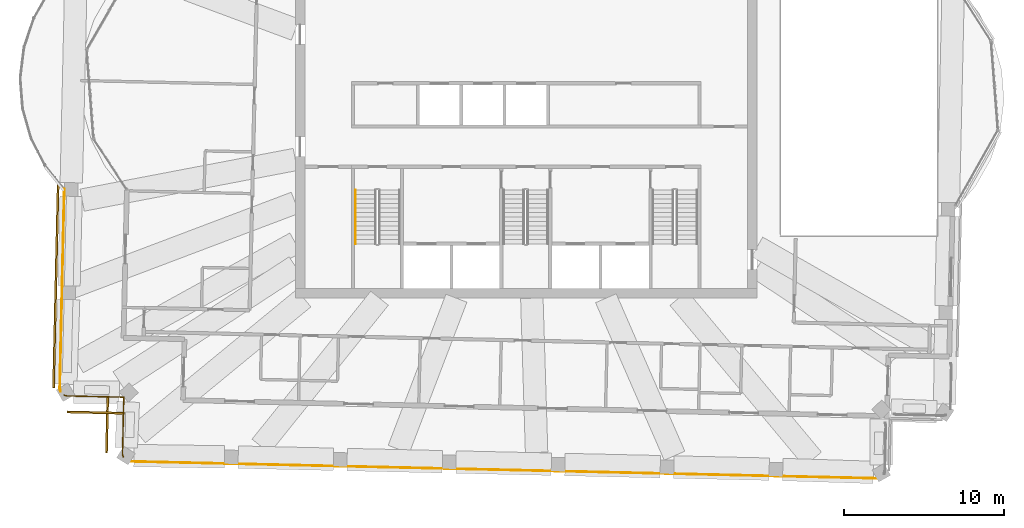
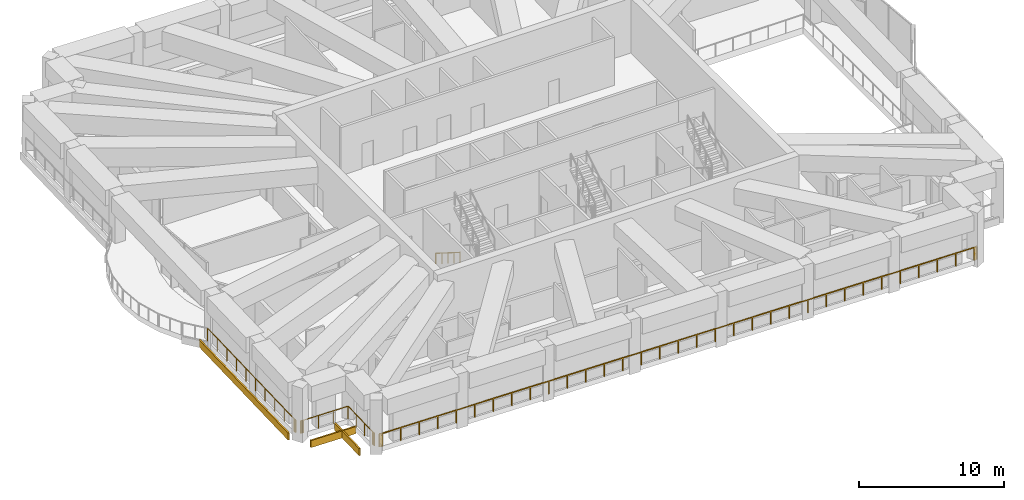
# One storey, part 12 of 17: 4 railings, 3 coverings.
"""IFC4 building model written with IfcOpenShell, lengths in metres."""

from ifc_helpers import new_model, si_unit, direction, frame, frame_2d, origin, origin_2d, place, context, subcontext, project, spatial, rectangle, circle, extrude, material, layer, layer_set, type_object, element, save


model = new_model("IFC4")

# Units and contexts
model_context = context("Model", 3, precision=1e-05, world=origin(), true_north=direction((0.0, 1.0)))
body_context = subcontext(model_context, "Body", "Model", "MODEL_VIEW")
ifc_project = project(units=[si_unit("LENGTHUNIT", "METRE"), si_unit("AREAUNIT", "SQUARE_METRE"), si_unit("VOLUMEUNIT", "CUBIC_METRE"), si_unit("PLANEANGLEUNIT", "RADIAN"), si_unit("MASSUNIT", "GRAM", prefix="KILO")], contexts=[model_context])

# Site, building, storey
site_placement = place(None, origin())
site = spatial("IfcSite", under=ifc_project, at=site_placement, CompositionType="ELEMENT")
building_placement = place(site_placement, origin())
building = spatial("IfcBuilding", under=site, at=building_placement, Name="Mangrove Gate Tower", CompositionType="ELEMENT")
storey_placement = place(building_placement, frame((0.0, 0.0, 337.89990234375)))
storey = spatial("IfcBuildingStorey", under=building, at=storey_placement, Name="L86", CompositionType="ELEMENT", Elevation=337.89990234375)

# Railings
ifc_material_1 = material(Name="Stainless steel grade 316 with laminated glass infill", Category="steel")
railing_type_1 = type_object("IfcRailingType", Name="Balcony guard 1100", PredefinedType="GUARDRAIL", material=ifc_material_1)
railing_1_placement = place(storey_placement, frame((22.072998046875, -22.593017578125, 0.0)))
element("IfcRailing", 1, at=railing_1_placement, inside=storey, type_object=railing_type_1, Name="GUARD L86 T3.6", PredefinedType="GUARDRAIL", context=body_context, shape_type="SweptSolid", body=[
    extrude(rectangle(XDim=0.048095703125, YDim=0.048095703125, at=origin_2d()), frame((0.0, 0.0, 1.076171875), z_axis=(-0.907708589272, -0.419601140324, 0.0), x_axis=(0.419601140324, -0.907708589272, 0.0)), (0.0, 0.0, 1.0), 0.028564453125),
    extrude(rectangle(XDim=0.048095703125, YDim=0.048095703125, at=origin_2d()), frame((-0.02587890625, -0.011962890625, 1.076171875), z_axis=(-0.950180731344, -0.311699499171, 0.0), x_axis=(0.311699499171, -0.950180731344, 0.0)), (0.0, 0.0, 1.0), 0.048583984375),
    extrude(rectangle(XDim=0.048095703125, YDim=0.048095703125, at=origin_2d()), frame((-0.072021484375, -0.027099609375, 1.076171875), z_axis=(-0.974889210585, -0.222690428814, 0.0), x_axis=(0.222690428814, -0.974889210585, 0.0)), (0.0, 0.0, 1.0), 0.04931640625),
    extrude(rectangle(XDim=0.048095703125, YDim=0.048095703125, at=origin_2d()), frame((-0.1201171875, -0.0380859375, 1.076171875), z_axis=(-0.992876838487, -0.119145220618, 0.0), x_axis=(0.119145220618, -0.992876838487, 0.0)), (0.0, 0.0, 1.0), 0.049072265625),
    extrude(rectangle(XDim=0.048095703125, YDim=0.048095703125, at=origin_2d()), frame((-0.1689453125, -0.0439453125, 1.076171875), z_axis=(-0.999802043895, -0.019896558087, 0.0), x_axis=(0.019896558087, -0.999802043895, 0.0)), (0.0, 0.0, 1.0), 0.049072265625),
    extrude(rectangle(XDim=0.048095703125, YDim=0.048095703125, at=origin_2d()), frame((-0.218017578125, -0.044921875, 1.076171875), z_axis=(-0.999742701261, 0.022683281833, 0.0), x_axis=(-0.022683281833, -0.999742701261, 0.0)), (0.0, 0.0, 1.0), 46.550048828125),
    extrude(rectangle(XDim=0.048095703125, YDim=0.048095703125, at=origin_2d()), frame((-46.756103515625, 1.010986328125, 1.076171875), z_axis=(-0.998204845466, 0.059892290728, 0.0), x_axis=(-0.059892290728, -0.998204845466, 0.0)), (0.0, 0.0, 1.0), 0.048828125),
    extrude(rectangle(XDim=0.048095703125, YDim=0.048095703125, at=origin_2d()), frame((-46.804931640625, 1.013916015625, 1.076171875), z_axis=(-0.982815662529, 0.184589743724, 0.0), x_axis=(-0.184589743724, -0.982815662529, 0.0)), (0.0, 0.0, 1.0), 0.048828125),
    extrude(rectangle(XDim=0.048095703125, YDim=0.048095703125, at=origin_2d()), frame((-46.85302734375, 1.02294921875, 1.076171875), z_axis=(-0.964079528398, 0.26561374762, 0.0), x_axis=(-0.26561374762, -0.964079528398, 0.0)), (0.0, 0.0, 1.0), 0.049560546875),
    extrude(rectangle(XDim=0.048095703125, YDim=0.048095703125, at=origin_2d()), frame((-46.90087890625, 1.0361328125, 1.076171875), z_axis=(-0.936952100537, 0.349457810471, 0.0), x_axis=(-0.349457810471, -0.936952100537, 0.0)), (0.0, 0.0, 1.0), 0.048095703125),
    extrude(rectangle(XDim=0.048095703125, YDim=0.048095703125, at=origin_2d()), frame((-46.946044921875, 1.052978515625, 1.076171875), z_axis=(-0.887359195726, 0.461078797779, 0.0), x_axis=(-0.461078797779, -0.887359195726, 0.0)), (0.0, 0.0, 1.0), 0.028076171875),
    extrude(rectangle(XDim=0.0419921875, YDim=0.0419921875, at=origin_2d()), origin(), (0.0, 0.0, 1.0), 1.052001953125),
    extrude(rectangle(XDim=0.0419921875, YDim=0.0419921875, at=origin_2d()), frame((-0.02587890625, -0.011962890625, 0.0)), (0.0, 0.0, 1.0), 1.052001953125),
    extrude(rectangle(XDim=0.0419921875, YDim=0.0419921875, at=origin_2d()), frame((-0.072021484375, -0.027099609375, 0.0)), (0.0, 0.0, 1.0), 1.052001953125),
    extrude(rectangle(XDim=0.0419921875, YDim=0.0419921875, at=origin_2d()), frame((-0.1201171875, -0.0380859375, 0.0)), (0.0, 0.0, 1.0), 1.052001953125),
    extrude(rectangle(XDim=0.0419921875, YDim=0.0419921875, at=origin_2d()), frame((-0.1689453125, -0.0439453125, 0.0)), (0.0, 0.0, 1.0), 1.052001953125),
    extrude(rectangle(XDim=0.0419921875, YDim=0.0419921875, at=origin_2d()), frame((-0.218017578125, -0.044921875, 0.0)), (0.0, 0.0, 1.0), 1.052001953125),
    extrude(rectangle(XDim=0.0419921875, YDim=0.0419921875, at=origin_2d()), frame((-1.67236328125, -0.011962890625, 0.0)), (0.0, 0.0, 1.0), 1.052001953125),
    extrude(rectangle(XDim=0.0419921875, YDim=0.0419921875, at=origin_2d()), frame((-3.126708984375, 0.02099609375, 0.0)), (0.0, 0.0, 1.0), 1.052001953125),
    extrude(rectangle(XDim=0.0419921875, YDim=0.0419921875, at=origin_2d()), frame((-4.5810546875, 0.053955078125, 0.0)), (0.0, 0.0, 1.0), 1.052001953125),
    extrude(rectangle(XDim=0.0419921875, YDim=0.0419921875, at=origin_2d()), frame((-6.03515625, 0.087158203125, 0.0)), (0.0, 0.0, 1.0), 1.052001953125),
    extrude(rectangle(XDim=0.0419921875, YDim=0.0419921875, at=origin_2d()), frame((-7.489501953125, 0.1201171875, 0.0)), (0.0, 0.0, 1.0), 1.052001953125),
    extrude(rectangle(XDim=0.0419921875, YDim=0.0419921875, at=origin_2d()), frame((-8.94384765625, 0.153076171875, 0.0)), (0.0, 0.0, 1.0), 1.052001953125),
    extrude(rectangle(XDim=0.0419921875, YDim=0.0419921875, at=origin_2d()), frame((-10.398193359375, 0.18603515625, 0.0)), (0.0, 0.0, 1.0), 1.052001953125),
    extrude(rectangle(XDim=0.0419921875, YDim=0.0419921875, at=origin_2d()), frame((-11.8525390625, 0.218994140625, 0.0)), (0.0, 0.0, 1.0), 1.052001953125),
    extrude(rectangle(XDim=0.0419921875, YDim=0.0419921875, at=origin_2d()), frame((-13.306884765625, 0.251953125, 0.0)), (0.0, 0.0, 1.0), 1.052001953125),
    extrude(rectangle(XDim=0.0419921875, YDim=0.0419921875, at=origin_2d()), frame((-14.76123046875, 0.28515625, 0.0)), (0.0, 0.0, 1.0), 1.052001953125),
    extrude(rectangle(XDim=0.0419921875, YDim=0.0419921875, at=origin_2d()), frame((-16.215576171875, 0.318115234375, 0.0)), (0.0, 0.0, 1.0), 1.052001953125),
    extrude(rectangle(XDim=0.0419921875, YDim=0.0419921875, at=origin_2d()), frame((-17.669921875, 0.35107421875, 0.0)), (0.0, 0.0, 1.0), 1.052001953125),
    extrude(rectangle(XDim=0.0419921875, YDim=0.0419921875, at=origin_2d()), frame((-19.1240234375, 0.384033203125, 0.0)), (0.0, 0.0, 1.0), 1.052001953125),
    extrude(rectangle(XDim=0.0419921875, YDim=0.0419921875, at=origin_2d()), frame((-20.578369140625, 0.4169921875, 0.0)), (0.0, 0.0, 1.0), 1.052001953125),
    extrude(rectangle(XDim=0.0419921875, YDim=0.0419921875, at=origin_2d()), frame((-22.03271484375, 0.449951171875, 0.0)), (0.0, 0.0, 1.0), 1.052001953125),
    extrude(rectangle(XDim=0.0419921875, YDim=0.0419921875, at=origin_2d()), frame((-23.487060546875, 0.48291015625, 0.0)), (0.0, 0.0, 1.0), 1.052001953125),
    extrude(rectangle(XDim=0.0419921875, YDim=0.0419921875, at=origin_2d()), frame((-24.94140625, 0.51611328125, 0.0)), (0.0, 0.0, 1.0), 1.052001953125),
    extrude(rectangle(XDim=0.0419921875, YDim=0.0419921875, at=origin_2d()), frame((-26.395751953125, 0.549072265625, 0.0)), (0.0, 0.0, 1.0), 1.052001953125),
    extrude(rectangle(XDim=0.0419921875, YDim=0.0419921875, at=origin_2d()), frame((-27.85009765625, 0.58203125, 0.0)), (0.0, 0.0, 1.0), 1.052001953125),
    extrude(rectangle(XDim=0.0419921875, YDim=0.0419921875, at=origin_2d()), frame((-29.30419921875, 0.614990234375, 0.0)), (0.0, 0.0, 1.0), 1.052001953125),
    extrude(rectangle(XDim=0.0419921875, YDim=0.0419921875, at=origin_2d()), frame((-30.758544921875, 0.64794921875, 0.0)), (0.0, 0.0, 1.0), 1.052001953125),
    extrude(rectangle(XDim=0.0419921875, YDim=0.0419921875, at=origin_2d()), frame((-32.212890625, 0.680908203125, 0.0)), (0.0, 0.0, 1.0), 1.052001953125),
    extrude(rectangle(XDim=0.0419921875, YDim=0.0419921875, at=origin_2d()), frame((-33.667236328125, 0.714111328125, 0.0)), (0.0, 0.0, 1.0), 1.052001953125),
    extrude(rectangle(XDim=0.0419921875, YDim=0.0419921875, at=origin_2d()), frame((-35.12158203125, 0.7470703125, 0.0)), (0.0, 0.0, 1.0), 1.052001953125),
    extrude(rectangle(XDim=0.0419921875, YDim=0.0419921875, at=origin_2d()), frame((-36.575927734375, 0.780029296875, 0.0)), (0.0, 0.0, 1.0), 1.052001953125),
    extrude(rectangle(XDim=0.0419921875, YDim=0.0419921875, at=origin_2d()), frame((-38.0302734375, 0.81298828125, 0.0)), (0.0, 0.0, 1.0), 1.052001953125),
    extrude(rectangle(XDim=0.0419921875, YDim=0.0419921875, at=origin_2d()), frame((-39.484619140625, 0.845947265625, 0.0)), (0.0, 0.0, 1.0), 1.052001953125),
    extrude(rectangle(XDim=0.0419921875, YDim=0.0419921875, at=origin_2d()), frame((-40.93896484375, 0.87890625, 0.0)), (0.0, 0.0, 1.0), 1.052001953125),
    extrude(rectangle(XDim=0.0419921875, YDim=0.0419921875, at=origin_2d()), frame((-42.39306640625, 0.912109375, 0.0)), (0.0, 0.0, 1.0), 1.052001953125),
    extrude(rectangle(XDim=0.0419921875, YDim=0.0419921875, at=origin_2d()), frame((-43.847412109375, 0.945068359375, 0.0)), (0.0, 0.0, 1.0), 1.052001953125),
    extrude(rectangle(XDim=0.0419921875, YDim=0.0419921875, at=origin_2d()), frame((-45.3017578125, 0.97802734375, 0.0)), (0.0, 0.0, 1.0), 1.052001953125),
    extrude(rectangle(XDim=0.0419921875, YDim=0.0419921875, at=origin_2d()), frame((-46.756103515625, 1.010986328125, 0.0)), (0.0, 0.0, 1.0), 1.052001953125),
    extrude(rectangle(XDim=0.0419921875, YDim=0.0419921875, at=origin_2d()), frame((-46.804931640625, 1.013916015625, 0.0)), (0.0, 0.0, 1.0), 1.052001953125),
    extrude(rectangle(XDim=0.0419921875, YDim=0.0419921875, at=origin_2d()), frame((-46.85302734375, 1.02294921875, 0.0)), (0.0, 0.0, 1.0), 1.052001953125),
    extrude(rectangle(XDim=0.0419921875, YDim=0.0419921875, at=origin_2d()), frame((-46.90087890625, 1.0361328125, 0.0)), (0.0, 0.0, 1.0), 1.052001953125),
    extrude(rectangle(XDim=0.0419921875, YDim=0.0419921875, at=origin_2d()), frame((-46.946044921875, 1.052978515625, 0.0)), (0.0, 0.0, 1.0), 1.052001953125),
    extrude(rectangle(XDim=0.0419921875, YDim=0.0419921875, at=origin_2d()), frame((-46.970947265625, 1.06591796875, 0.0)), (0.0, 0.0, 1.0), 1.052001953125),
])
railing_2_placement = place(storey_placement, frame((-25.1259765625, -21.2890625, 0.0)))
element("IfcRailing", 2, at=railing_2_placement, inside=storey, type_object=railing_type_1, Name="GUARD L86 T3.7", PredefinedType="GUARDRAIL", context=body_context, shape_type="SweptSolid", body=[
    extrude(rectangle(XDim=0.048095703125, YDim=0.048095703125, at=origin_2d()), frame((0.0, 0.0, 1.076171875), z_axis=(-0.416362102889, 0.909198877737, 0.0), x_axis=(-0.909198877737, -0.416362102889, 0.0)), (0.0, 0.0, 1.0), 0.02880859375),
    extrude(rectangle(XDim=0.048095703125, YDim=0.048095703125, at=origin_2d()), frame((-0.011962890625, 0.026123046875, 1.076171875), z_axis=(-0.313195230526, 0.94968876353, 0.0), x_axis=(-0.94968876353, -0.313195230526, 0.0)), (0.0, 0.0, 1.0), 0.04833984375),
    extrude(rectangle(XDim=0.048095703125, YDim=0.048095703125, at=origin_2d()), frame((-0.027099609375, 0.072021484375, 1.076171875), z_axis=(-0.222690428814, 0.974889210585, 0.0), x_axis=(-0.974889210585, -0.222690428814, 0.0)), (0.0, 0.0, 1.0), 0.04931640625),
    extrude(rectangle(XDim=0.048095703125, YDim=0.048095703125, at=origin_2d()), frame((-0.0380859375, 0.1201171875, 1.076171875), z_axis=(-0.119145220618, 0.992876838487, 0.0), x_axis=(-0.992876838487, -0.119145220618, 0.0)), (0.0, 0.0, 1.0), 0.049072265625),
    extrude(rectangle(XDim=0.048095703125, YDim=0.048095703125, at=origin_2d()), frame((-0.0439453125, 0.1689453125, 1.076171875), z_axis=(-0.044731300944, 0.998999054412, 0.0), x_axis=(-0.998999054412, -0.044731300944, 0.0)), (0.0, 0.0, 1.0), 0.049072265625),
    extrude(rectangle(XDim=0.048095703125, YDim=0.048095703125, at=origin_2d()), frame((-0.046142578125, 0.218017578125, 1.076171875), z_axis=(0.022958310357, 0.999736423256, 0.0), x_axis=(-0.999736423256, 0.022958310357, 0.0)), (0.0, 0.0, 1.0), 3.488037109375),
    extrude(rectangle(XDim=0.048095703125, YDim=0.048095703125, at=origin_2d()), frame((0.033935546875, 3.705078125, 1.076171875), z_axis=(-0.088539790284, 0.996072640693, 0.0), x_axis=(-0.996072640693, -0.088539790284, 0.0)), (0.0, 0.0, 1.0), 0.010986328125),
    extrude(rectangle(XDim=0.048095703125, YDim=0.048095703125, at=origin_2d()), frame((0.032958984375, 3.716064453125, 1.076171875), z_axis=(-0.996072640693, 0.088539790284, 0.0), x_axis=(-0.088539790284, -0.996072640693, 0.0)), (0.0, 0.0, 1.0), 0.010986328125),
    extrude(rectangle(XDim=0.048095703125, YDim=0.048095703125, at=origin_2d()), frame((0.02197265625, 3.717041015625, 1.076171875), z_axis=(-0.999742810293, 0.022678475848, 0.0), x_axis=(-0.022678475848, -0.999742810293, 0.0)), (0.0, 0.0, 1.0), 3.488037109375),
    extrude(rectangle(XDim=0.048095703125, YDim=0.048095703125, at=origin_2d()), frame((-3.465087890625, 3.796142578125, 1.076171875), z_axis=(-0.996815278536, 0.079745222283, 0.0), x_axis=(-0.079745222283, -0.996815278536, 0.0)), (0.0, 0.0, 1.0), 0.049072265625),
    extrude(rectangle(XDim=0.048095703125, YDim=0.048095703125, at=origin_2d()), frame((-3.513916015625, 3.800048828125, 1.076171875), z_axis=(-0.986789091699, 0.162010149383, 0.0), x_axis=(-0.162010149383, -0.986789091699, 0.0)), (0.0, 0.0, 1.0), 0.0498046875),
    extrude(rectangle(XDim=0.048095703125, YDim=0.048095703125, at=origin_2d()), frame((-3.56298828125, 3.80810546875, 1.076171875), z_axis=(-0.964301134924, 0.264808083684, 0.0), x_axis=(-0.264808083684, -0.964301134924, 0.0)), (0.0, 0.0, 1.0), 0.048828125),
    extrude(rectangle(XDim=0.048095703125, YDim=0.048095703125, at=origin_2d()), frame((-3.610107421875, 3.821044921875, 1.076171875), z_axis=(-0.930510652004, 0.366264831108, 0.0), x_axis=(-0.366264831108, -0.930510652004, 0.0)), (0.0, 0.0, 1.0), 0.04931640625),
    extrude(rectangle(XDim=0.048095703125, YDim=0.048095703125, at=origin_2d()), frame((-3.656005859375, 3.839111328125, 1.076171875), z_axis=(-0.901385111422, 0.43301833784, 0.0), x_axis=(-0.43301833784, -0.901385111422, 0.0)), (0.0, 0.0, 1.0), 0.027587890625),
    extrude(rectangle(XDim=0.0419921875, YDim=0.0419921875, at=origin_2d()), origin(), (0.0, 0.0, 1.0), 1.052001953125),
    extrude(rectangle(XDim=0.0419921875, YDim=0.0419921875, at=origin_2d()), frame((-0.011962890625, 0.026123046875, 0.0)), (0.0, 0.0, 1.0), 1.052001953125),
    extrude(rectangle(XDim=0.0419921875, YDim=0.0419921875, at=origin_2d()), frame((-0.027099609375, 0.072021484375, 0.0)), (0.0, 0.0, 1.0), 1.052001953125),
    extrude(rectangle(XDim=0.0419921875, YDim=0.0419921875, at=origin_2d()), frame((-0.0380859375, 0.1201171875, 0.0)), (0.0, 0.0, 1.0), 1.052001953125),
    extrude(rectangle(XDim=0.0419921875, YDim=0.0419921875, at=origin_2d()), frame((-0.0439453125, 0.1689453125, 0.0)), (0.0, 0.0, 1.0), 1.052001953125),
    extrude(rectangle(XDim=0.0419921875, YDim=0.0419921875, at=origin_2d()), frame((-0.046142578125, 0.218017578125, 0.0)), (0.0, 0.0, 1.0), 1.052001953125),
    extrude(rectangle(XDim=0.0419921875, YDim=0.0419921875, at=origin_2d()), frame((-0.01953125, 1.38037109375, 0.0)), (0.0, 0.0, 1.0), 1.052001953125),
    extrude(rectangle(XDim=0.0419921875, YDim=0.0419921875, at=origin_2d()), frame((0.00732421875, 2.542724609375, 0.0)), (0.0, 0.0, 1.0), 1.052001953125),
    extrude(rectangle(XDim=0.0419921875, YDim=0.0419921875, at=origin_2d()), frame((0.033935546875, 3.705078125, 0.0)), (0.0, 0.0, 1.0), 1.052001953125),
    extrude(rectangle(XDim=0.0419921875, YDim=0.0419921875, at=origin_2d()), frame((0.032958984375, 3.716064453125, 0.0)), (0.0, 0.0, 1.0), 1.052001953125),
    extrude(rectangle(XDim=0.0419921875, YDim=0.0419921875, at=origin_2d()), frame((0.02197265625, 3.717041015625, 0.0)), (0.0, 0.0, 1.0), 1.052001953125),
    extrude(rectangle(XDim=0.0419921875, YDim=0.0419921875, at=origin_2d()), frame((-1.140380859375, 3.743408203125, 0.0)), (0.0, 0.0, 1.0), 1.052001953125),
    extrude(rectangle(XDim=0.0419921875, YDim=0.0419921875, at=origin_2d()), frame((-2.302734375, 3.769775390625, 0.0)), (0.0, 0.0, 1.0), 1.052001953125),
    extrude(rectangle(XDim=0.0419921875, YDim=0.0419921875, at=origin_2d()), frame((-3.465087890625, 3.796142578125, 0.0)), (0.0, 0.0, 1.0), 1.052001953125),
    extrude(rectangle(XDim=0.0419921875, YDim=0.0419921875, at=origin_2d()), frame((-3.513916015625, 3.800048828125, 0.0)), (0.0, 0.0, 1.0), 1.052001953125),
    extrude(rectangle(XDim=0.0419921875, YDim=0.0419921875, at=origin_2d()), frame((-3.56298828125, 3.80810546875, 0.0)), (0.0, 0.0, 1.0), 1.052001953125),
    extrude(rectangle(XDim=0.0419921875, YDim=0.0419921875, at=origin_2d()), frame((-3.610107421875, 3.821044921875, 0.0)), (0.0, 0.0, 1.0), 1.052001953125),
    extrude(rectangle(XDim=0.0419921875, YDim=0.0419921875, at=origin_2d()), frame((-3.656005859375, 3.839111328125, 0.0)), (0.0, 0.0, 1.0), 1.052001953125),
    extrude(rectangle(XDim=0.0419921875, YDim=0.0419921875, at=origin_2d()), frame((-3.680908203125, 3.85107421875, 0.0)), (0.0, 0.0, 1.0), 1.052001953125),
])
railing_3_placement = place(storey_placement, frame((-29.034912109375, -17.198974609375, 0.0)))
element("IfcRailing", 3, at=railing_3_placement, inside=storey, type_object=railing_type_1, Name="GUARD L86 T3.8", PredefinedType="GUARDRAIL", context=body_context, shape_type="SweptSolid", body=[
    extrude(rectangle(XDim=0.048095703125, YDim=0.048095703125, at=origin_2d()), frame((0.0, 0.0, 1.076171875), z_axis=(-0.403640206576, 0.914917801573, 0.0), x_axis=(-0.914917801573, -0.403640206576, 0.0)), (0.0, 0.0, 1.0), 0.027099609375),
    extrude(rectangle(XDim=0.048095703125, YDim=0.048095703125, at=origin_2d()), frame((-0.010986328125, 0.02490234375, 1.076171875), z_axis=(-0.323572178119, 0.94620349056, 0.0), x_axis=(-0.94620349056, -0.323572178119, 0.0)), (0.0, 0.0, 1.0), 0.0498046875),
    extrude(rectangle(XDim=0.048095703125, YDim=0.048095703125, at=origin_2d()), frame((-0.027099609375, 0.072021484375, 1.076171875), z_axis=(-0.204751888661, 0.978813906772, 0.0), x_axis=(-0.978813906772, -0.204751888661, 0.0)), (0.0, 0.0, 1.0), 0.048828125),
    extrude(rectangle(XDim=0.048095703125, YDim=0.048095703125, at=origin_2d()), frame((-0.037109375, 0.119873046875, 1.076171875), z_axis=(-0.118560811125, 0.992946793169, 0.0), x_axis=(-0.992946793169, -0.118560811125, 0.0)), (0.0, 0.0, 1.0), 0.04931640625),
    extrude(rectangle(XDim=0.048095703125, YDim=0.048095703125, at=origin_2d()), frame((-0.04296875, 0.1689453125, 1.076171875), z_axis=(-0.044731300944, 0.998999054412, 0.0), x_axis=(-0.998999054412, -0.044731300944, 0.0)), (0.0, 0.0, 1.0), 0.049072265625),
    extrude(rectangle(XDim=0.048095703125, YDim=0.048095703125, at=origin_2d()), frame((-0.045166015625, 0.218017578125, 1.076171875), z_axis=(0.022731274831, 0.99974161119, 0.0), x_axis=(-0.99974161119, 0.022731274831, 0.0)), (0.0, 0.0, 1.0), 12.362060546875),
    extrude(rectangle(XDim=0.048095703125, YDim=0.048095703125, at=origin_2d()), frame((0.23583984375, 12.576904296875, 1.076171875), z_axis=(-0.081362009455, 0.996684615823, 0.0), x_axis=(-0.996684615823, -0.081362009455, 0.0)), (0.0, 0.0, 1.0), 0.011962890625),
    extrude(rectangle(XDim=0.048095703125, YDim=0.048095703125, at=origin_2d()), frame((0.23486328125, 12.5888671875, 1.076171875), z_axis=(-0.563961646158, 0.825800981874, 0.0), x_axis=(-0.825800981874, -0.563961646158, 0.0)), (0.0, 0.0, 1.0), 0.01220703125),
    extrude(rectangle(XDim=0.0419921875, YDim=0.0419921875, at=origin_2d()), origin(), (0.0, 0.0, 1.0), 1.052001953125),
    extrude(rectangle(XDim=0.0419921875, YDim=0.0419921875, at=origin_2d()), frame((-0.010986328125, 0.02490234375, 0.0)), (0.0, 0.0, 1.0), 1.052001953125),
    extrude(rectangle(XDim=0.0419921875, YDim=0.0419921875, at=origin_2d()), frame((-0.027099609375, 0.072021484375, 0.0)), (0.0, 0.0, 1.0), 1.052001953125),
    extrude(rectangle(XDim=0.0419921875, YDim=0.0419921875, at=origin_2d()), frame((-0.037109375, 0.119873046875, 0.0)), (0.0, 0.0, 1.0), 1.052001953125),
    extrude(rectangle(XDim=0.0419921875, YDim=0.0419921875, at=origin_2d()), frame((-0.04296875, 0.1689453125, 0.0)), (0.0, 0.0, 1.0), 1.052001953125),
    extrude(rectangle(XDim=0.0419921875, YDim=0.0419921875, at=origin_2d()), frame((-0.045166015625, 0.218017578125, 0.0)), (0.0, 0.0, 1.0), 1.052001953125),
    extrude(rectangle(XDim=0.0419921875, YDim=0.0419921875, at=origin_2d()), frame((-0.013916015625, 1.59130859375, 0.0)), (0.0, 0.0, 1.0), 1.052001953125),
    extrude(rectangle(XDim=0.0419921875, YDim=0.0419921875, at=origin_2d()), frame((0.017333984375, 2.96435546875, 0.0)), (0.0, 0.0, 1.0), 1.052001953125),
    extrude(rectangle(XDim=0.0419921875, YDim=0.0419921875, at=origin_2d()), frame((0.048583984375, 4.337646484375, 0.0)), (0.0, 0.0, 1.0), 1.052001953125),
    extrude(rectangle(XDim=0.0419921875, YDim=0.0419921875, at=origin_2d()), frame((0.079833984375, 5.7109375, 0.0)), (0.0, 0.0, 1.0), 1.052001953125),
    extrude(rectangle(XDim=0.0419921875, YDim=0.0419921875, at=origin_2d()), frame((0.11083984375, 7.083984375, 0.0)), (0.0, 0.0, 1.0), 1.052001953125),
    extrude(rectangle(XDim=0.0419921875, YDim=0.0419921875, at=origin_2d()), frame((0.14208984375, 8.457275390625, 0.0)), (0.0, 0.0, 1.0), 1.052001953125),
    extrude(rectangle(XDim=0.0419921875, YDim=0.0419921875, at=origin_2d()), frame((0.17333984375, 9.83056640625, 0.0)), (0.0, 0.0, 1.0), 1.052001953125),
    extrude(rectangle(XDim=0.0419921875, YDim=0.0419921875, at=origin_2d()), frame((0.20458984375, 11.20361328125, 0.0)), (0.0, 0.0, 1.0), 1.052001953125),
    extrude(rectangle(XDim=0.0419921875, YDim=0.0419921875, at=origin_2d()), frame((0.23583984375, 12.576904296875, 0.0)), (0.0, 0.0, 1.0), 1.052001953125),
    extrude(rectangle(XDim=0.0419921875, YDim=0.0419921875, at=origin_2d()), frame((0.23486328125, 12.5888671875, 0.0)), (0.0, 0.0, 1.0), 1.052001953125),
    extrude(rectangle(XDim=0.0419921875, YDim=0.0419921875, at=origin_2d()), frame((0.22802734375, 12.598876953125, 0.0)), (0.0, 0.0, 1.0), 1.052001953125),
])
ifc_material_2 = material(Name="Stainless steel 316", Category="steel")
railing_type_2 = type_object("IfcRailingType", Name="Core stair handrail 900", PredefinedType="HANDRAIL", material=ifc_material_2)
railing_4_placement = place(storey_placement, frame((-10.64990234375, -4.64990234375, 0.177001953125)))
element("IfcRailing", 4, at=railing_4_placement, inside=storey, type_object=railing_type_2, Name="L86 ST1 stair handrail 1", PredefinedType="HANDRAIL", context=body_context, shape_type="SweptSolid", body=[
    extrude(circle(Radius=0.02392578125, at=origin_2d()), frame((0.0, 0.0, 0.8759765625), z_axis=(0.0, -0.845389635667, 0.534150132366), x_axis=(1.0, 0.0, 0.0)), (0.0, 0.0, 1.0), 3.974609375),
    extrude(circle(Radius=0.02099609375, at=origin_2d()), origin(), (0.0, 0.0, 1.0), 0.851806640625),
    extrude(circle(Radius=0.02099609375, at=origin_2d()), frame((0.0, -0.840087890625, 0.53076171875)), (0.0, 0.0, 1.0), 0.851806640625),
    extrude(circle(Radius=0.02099609375, at=origin_2d()), frame((0.0, -1.68017578125, 1.0615234375)), (0.0, 0.0, 1.0), 0.851806640625),
    extrude(circle(Radius=0.02099609375, at=origin_2d()), frame((0.0, -2.52001953125, 1.59228515625)), (0.0, 0.0, 1.0), 0.851806640625),
    extrude(circle(Radius=0.02099609375, at=origin_2d()), frame((0.0, -3.360107421875, 2.123046875)), (0.0, 0.0, 1.0), 0.851806640625),
])

# Coverings
ifc_material_3 = material(Name="Limestone", Category="masonry")
ifc_layer_1 = layer(ifc_material_3, 0.0400390625, Name="Limestone cladding")
ifc_material_4 = material(Name="Stainless steel anchors and cavity", Category="steel")
ifc_layer_2 = layer(ifc_material_4, 0.080078125, Name="Fixing cavity")
ifc_layer_set = layer_set([ifc_layer_1, ifc_layer_2], Name="Joint fascia cladding 120")
covering_type = type_object("IfcCoveringType", Name="Joint fascia cladding 120", PredefinedType="CLADDING", material=ifc_layer_set)
covering_1_placement = place(storey_placement, frame((-26.1708984375, -21.048095703125, -0.599853515625), z_axis=(0.0, 0.0, 1.0), x_axis=(0.02257088478, 0.99974524513, 0.0)))
element("IfcCovering", 5, at=covering_1_placement, inside=storey, type_object=covering_type, Name="STONE FASCIA L86 Tcrown03-7.1", PredefinedType="CLADDING", context=body_context, shape_type="SweptSolid", body=[
    extrude(rectangle(XDim=3.537109375, YDim=0.1201171875, at=frame_2d((1.7685546875, 0.0))), origin(), (0.0, 0.0, 1.0), 0.599853515625),
])
covering_2_placement = place(storey_placement, frame((-25.076904296875, -18.572998046875, -0.599853515625), z_axis=(0.0, 0.0, 1.0), x_axis=(-0.999737542918, 0.02290950195, 0.0)))
element("IfcCovering", 6, at=covering_2_placement, inside=storey, type_object=covering_type, Name="STONE FASCIA L86 Tcrown03-7.2", PredefinedType="CLADDING", context=body_context, shape_type="SweptSolid", body=[
    extrude(rectangle(XDim=3.5380859375, YDim=0.1201171875, at=frame_2d((1.76904296875, 0.0))), origin(), (0.0, 0.0, 1.0), 0.599853515625),
])
covering_3_placement = place(storey_placement, frame((-29.472900390625, -16.971923828125, -0.599853515625), z_axis=(0.0, 0.0, 1.0), x_axis=(0.022715777824, 0.999741963427, 0.0)))
element("IfcCovering", 7, at=covering_3_placement, inside=storey, type_object=covering_type, Name="STONE FASCIA L86 Tcrown03-8.1", PredefinedType="CLADDING", context=body_context, shape_type="SweptSolid", body=[
    extrude(rectangle(XDim=12.811279296875, YDim=0.1201171875, at=frame_2d((6.40576171875, 0.0))), origin(), (0.0, 0.0, 1.0), 0.599853515625),
])

save(model, "model.ifc")
